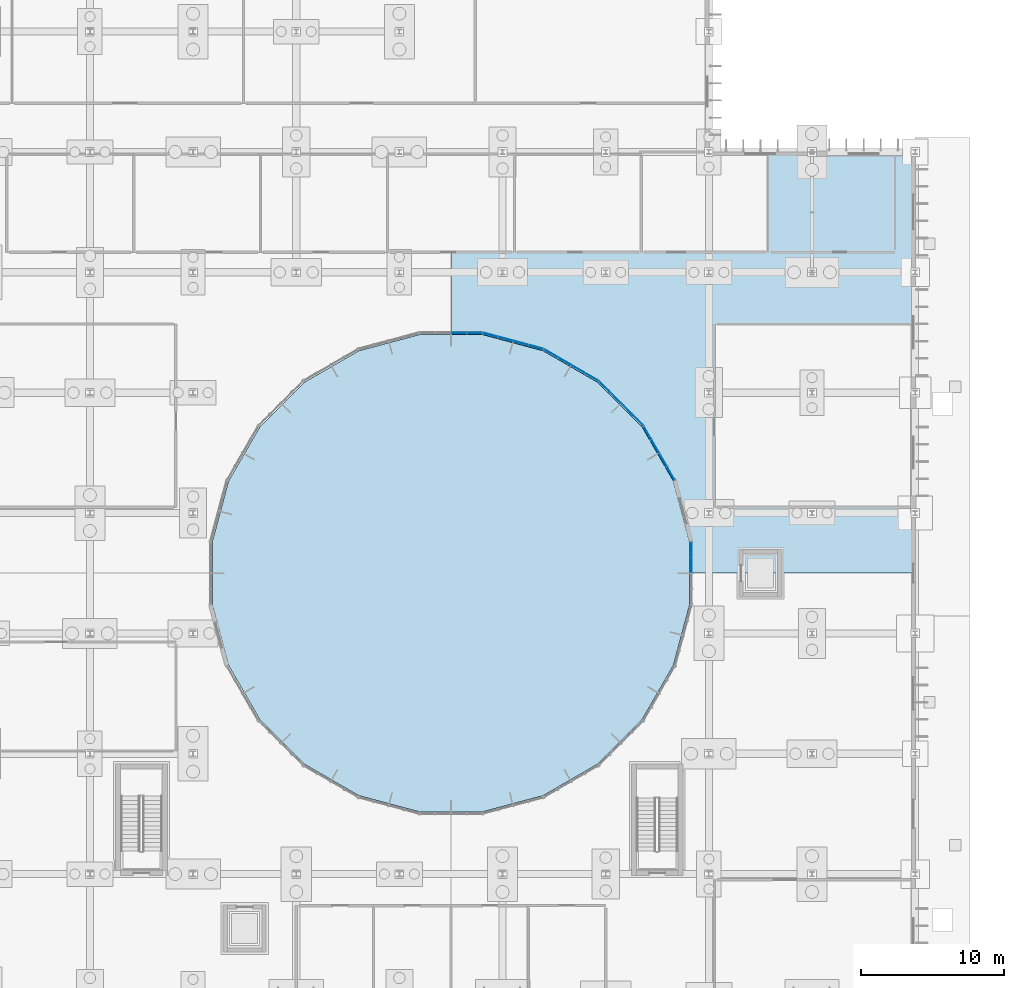
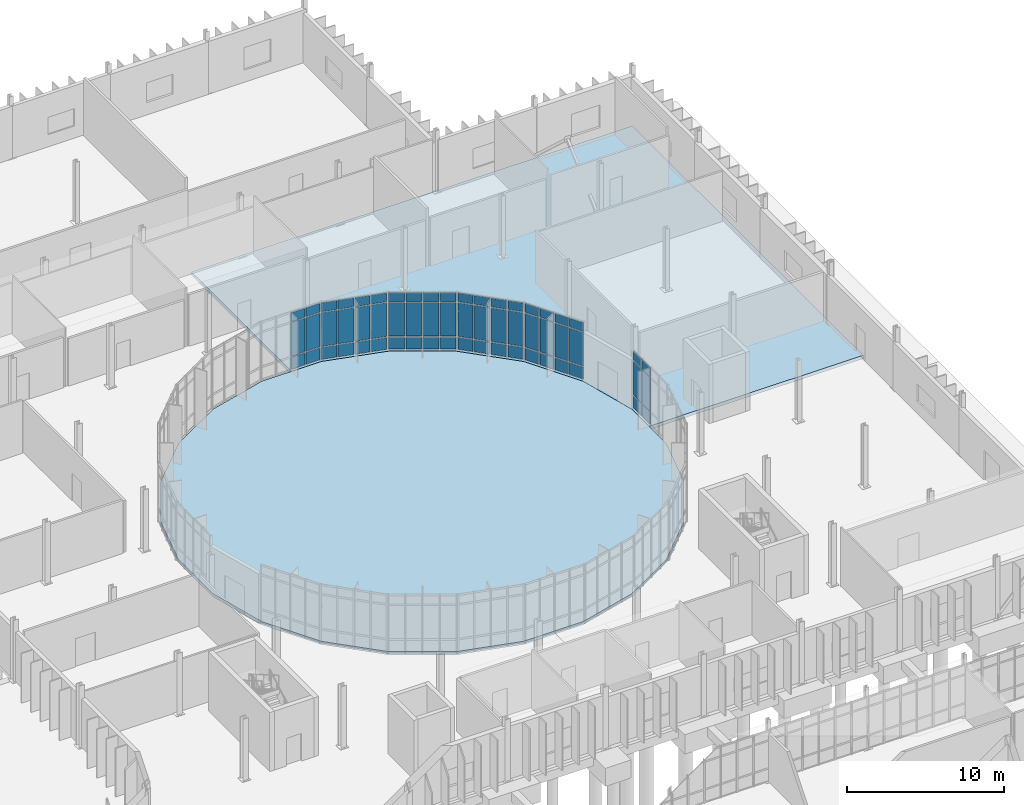
# One storey, part 70 of 118: 60 plates, 2 slabs, 6 elements without a shape of their own.
"""IFC4 building model written with IfcOpenShell, lengths in metres."""

from ifc_helpers import new_model, si_unit, direction, frame, origin, origin_2d, place, context, subcontext, project, spatial, polyline, rectangle, outline, extrude, material, layer, layer_set, type_object, element, aggregate, save


model = new_model("IFC4")

# Units and contexts
model_context = context("Model", 3, precision=1e-05, world=origin(), true_north=direction((0.0, 1.0)))
body_context = subcontext(model_context, "Body", "Model", "MODEL_VIEW")
ifc_project = project(units=[si_unit("LENGTHUNIT", "METRE"), si_unit("AREAUNIT", "SQUARE_METRE"), si_unit("VOLUMEUNIT", "CUBIC_METRE"), si_unit("PLANEANGLEUNIT", "RADIAN"), si_unit("MASSUNIT", "GRAM", prefix="KILO")], contexts=[model_context])

# Site, building, storey
site_placement = place(None, origin())
site = spatial("IfcSite", under=ifc_project, at=site_placement, CompositionType="ELEMENT")
building_placement = place(site_placement, origin())
building = spatial("IfcBuilding", under=site, at=building_placement, Name="Qelthora Terrace Specialist Clinic", CompositionType="ELEMENT")
storey_placement = place(building_placement, origin())
storey = spatial("IfcBuildingStorey", under=building, at=storey_placement, Name="L00", CompositionType="ELEMENT", Elevation=0.0)

# Curtain wall, plates
ifc_material_1 = material(Name="Aluminium anodized bronze", Category="aluminium")
curtain_wall_type = type_object("IfcCurtainWallType", Name="CW-CRTE-L00", PredefinedType="NOTDEFINED", material=ifc_material_1)
curtain_wall_1_placement = place(storey_placement, origin())
curtain_wall_1 = element("IfcCurtainWall", 1, at=curtain_wall_1_placement, inside=storey, type_object=curtain_wall_type, Name="Curtain wall CW-CE-L00-02", PredefinedType="NOTDEFINED")
ifc_material_2 = material(Name="Low-E triple-silver insulating glass", Category="glass")
ifc_layer_1 = layer(ifc_material_2, 0.035888671875)
ifc_layer_set_1 = layer_set([ifc_layer_1], Name="Low-E triple-silver insulating glass")
plate_type = type_object("IfcPlateType", Name="CWP-IGU-36", PredefinedType="CURTAIN_PANEL", material=ifc_layer_set_1)
plate_1_placement = place(storey_placement, frame((141.35107421875, 69.9638671875, 0.0849609375), z_axis=(0.0, 0.0, 1.0), x_axis=(-0.5, 0.866025403784, 0.0)))
plate_1 = element("IfcPlate", 2, at=plate_1_placement, type_object=plate_type, Name="CW-CE-L00-02 glazed panel 1", PredefinedType="CURTAIN_PANEL", context=body_context, shape_type="SweptSolid", body=[
    extrude(rectangle(XDim=0.996337890625, YDim=0.035888671875, at=origin_2d()), origin(), (0.0, 0.0, 1.0), 0.919921875),
])
plate_2_placement = place(storey_placement, frame((141.35107421875, 69.9638671875, 1.094970703125), z_axis=(0.0, 0.0, 1.0), x_axis=(-0.5, 0.866025403784, 0.0)))
plate_2 = element("IfcPlate", 3, at=plate_2_placement, type_object=plate_type, Name="CW-CE-L00-02 glazed panel 2", PredefinedType="CURTAIN_PANEL", context=body_context, shape_type="SweptSolid", body=[
    extrude(rectangle(XDim=0.996337890625, YDim=0.035888671875, at=origin_2d()), origin(), (0.0, 0.0, 1.0), 2.60498046875),
])
plate_3_placement = place(storey_placement, frame((141.35107421875, 69.9638671875, 3.7900390625), z_axis=(0.0, 0.0, 1.0), x_axis=(-0.5, 0.866025403784, 0.0)))
plate_3 = element("IfcPlate", 4, at=plate_3_placement, type_object=plate_type, Name="CW-CE-L00-02 glazed panel 3", PredefinedType="CURTAIN_PANEL", context=body_context, shape_type="SweptSolid", body=[
    extrude(rectangle(XDim=0.996337890625, YDim=0.035888671875, at=origin_2d()), origin(), (0.0, 0.0, 1.0), 0.669921875),
])
plate_4_placement = place(storey_placement, frame((140.802734375, 70.913330078125, 0.0849609375), z_axis=(0.0, 0.0, 1.0), x_axis=(-0.5, 0.866025403784, 0.0)))
plate_4 = element("IfcPlate", 5, at=plate_4_placement, type_object=plate_type, Name="CW-CE-L00-02 glazed panel 4", PredefinedType="CURTAIN_PANEL", context=body_context, shape_type="SweptSolid", body=[
    extrude(rectangle(XDim=0.996337890625, YDim=0.035888671875, at=origin_2d()), origin(), (0.0, 0.0, 1.0), 0.919921875),
])
plate_5_placement = place(storey_placement, frame((140.802734375, 70.913330078125, 1.094970703125), z_axis=(0.0, 0.0, 1.0), x_axis=(-0.5, 0.866025403784, 0.0)))
plate_5 = element("IfcPlate", 6, at=plate_5_placement, type_object=plate_type, Name="CW-CE-L00-02 glazed panel 5", PredefinedType="CURTAIN_PANEL", context=body_context, shape_type="SweptSolid", body=[
    extrude(rectangle(XDim=0.996337890625, YDim=0.035888671875, at=origin_2d()), origin(), (0.0, 0.0, 1.0), 2.60498046875),
])
plate_6_placement = place(storey_placement, frame((140.802734375, 70.913330078125, 3.7900390625), z_axis=(0.0, 0.0, 1.0), x_axis=(-0.5, 0.866025403784, 0.0)))
plate_6 = element("IfcPlate", 7, at=plate_6_placement, type_object=plate_type, Name="CW-CE-L00-02 glazed panel 6", PredefinedType="CURTAIN_PANEL", context=body_context, shape_type="SweptSolid", body=[
    extrude(rectangle(XDim=0.996337890625, YDim=0.035888671875, at=origin_2d()), origin(), (0.0, 0.0, 1.0), 0.669921875),
])
plate_7_placement = place(storey_placement, frame((140.254638671875, 71.86279296875, 0.0849609375), z_axis=(0.0, 0.0, 1.0), x_axis=(-0.5, 0.866025403784, 0.0)))
plate_7 = element("IfcPlate", 8, at=plate_7_placement, type_object=plate_type, Name="CW-CE-L00-02 glazed panel 7", PredefinedType="CURTAIN_PANEL", context=body_context, shape_type="SweptSolid", body=[
    extrude(rectangle(XDim=0.996337890625, YDim=0.035888671875, at=origin_2d()), origin(), (0.0, 0.0, 1.0), 0.919921875),
])
plate_8_placement = place(storey_placement, frame((140.254638671875, 71.86279296875, 1.094970703125), z_axis=(0.0, 0.0, 1.0), x_axis=(-0.5, 0.866025403784, 0.0)))
plate_8 = element("IfcPlate", 9, at=plate_8_placement, type_object=plate_type, Name="CW-CE-L00-02 glazed panel 8", PredefinedType="CURTAIN_PANEL", context=body_context, shape_type="SweptSolid", body=[
    extrude(rectangle(XDim=0.996337890625, YDim=0.035888671875, at=origin_2d()), origin(), (0.0, 0.0, 1.0), 2.60498046875),
])
plate_9_placement = place(storey_placement, frame((140.254638671875, 71.86279296875, 3.7900390625), z_axis=(0.0, 0.0, 1.0), x_axis=(-0.5, 0.866025403784, 0.0)))
plate_9 = element("IfcPlate", 10, at=plate_9_placement, type_object=plate_type, Name="CW-CE-L00-02 glazed panel 9", PredefinedType="CURTAIN_PANEL", context=body_context, shape_type="SweptSolid", body=[
    extrude(rectangle(XDim=0.996337890625, YDim=0.035888671875, at=origin_2d()), origin(), (0.0, 0.0, 1.0), 0.669921875),
])
plate_10_placement = place(storey_placement, frame((139.706298828125, 72.8125, 0.0849609375), z_axis=(0.0, 0.0, 1.0), x_axis=(-0.5, 0.866025403784, 0.0)))
plate_10 = element("IfcPlate", 11, at=plate_10_placement, type_object=plate_type, Name="CW-CE-L00-02 glazed panel 10", PredefinedType="CURTAIN_PANEL", context=body_context, shape_type="SweptSolid", body=[
    extrude(rectangle(XDim=0.996337890625, YDim=0.035888671875, at=origin_2d()), origin(), (0.0, 0.0, 1.0), 0.919921875),
])
plate_11_placement = place(storey_placement, frame((139.706298828125, 72.8125, 1.094970703125), z_axis=(0.0, 0.0, 1.0), x_axis=(-0.5, 0.866025403784, 0.0)))
plate_11 = element("IfcPlate", 12, at=plate_11_placement, type_object=plate_type, Name="CW-CE-L00-02 glazed panel 11", PredefinedType="CURTAIN_PANEL", context=body_context, shape_type="SweptSolid", body=[
    extrude(rectangle(XDim=0.996337890625, YDim=0.035888671875, at=origin_2d()), origin(), (0.0, 0.0, 1.0), 2.60498046875),
])
plate_12_placement = place(storey_placement, frame((139.706298828125, 72.8125, 3.7900390625), z_axis=(0.0, 0.0, 1.0), x_axis=(-0.5, 0.866025403784, 0.0)))
plate_12 = element("IfcPlate", 13, at=plate_12_placement, type_object=plate_type, Name="CW-CE-L00-02 glazed panel 12", PredefinedType="CURTAIN_PANEL", context=body_context, shape_type="SweptSolid", body=[
    extrude(rectangle(XDim=0.996337890625, YDim=0.035888671875, at=origin_2d()), origin(), (0.0, 0.0, 1.0), 0.669921875),
])
aggregate(curtain_wall_1, [plate_1, plate_2, plate_3, plate_4, plate_5, plate_6, plate_7, plate_8, plate_9, plate_10, plate_11, plate_12])

curtain_wall_2_placement = place(storey_placement, origin())
curtain_wall_2 = element("IfcCurtainWall", 14, at=curtain_wall_2_placement, inside=storey, type_object=curtain_wall_type, Name="Curtain wall CW-CE-L00-03", PredefinedType="NOTDEFINED")
plate_13_placement = place(storey_placement, frame((139.025634765625, 73.69970703125, 0.0849609375), z_axis=(0.0, 0.0, 1.0), x_axis=(-0.707106781187, 0.707106781187, 0.0)))
plate_13 = element("IfcPlate", 15, at=plate_13_placement, type_object=plate_type, Name="CW-CE-L00-03 glazed panel 1", PredefinedType="CURTAIN_PANEL", context=body_context, shape_type="SweptSolid", body=[
    extrude(rectangle(XDim=0.996337890625, YDim=0.035888671875, at=origin_2d()), origin(), (0.0, 0.0, 1.0), 0.919921875),
])
plate_14_placement = place(storey_placement, frame((139.025634765625, 73.69970703125, 1.094970703125), z_axis=(0.0, 0.0, 1.0), x_axis=(-0.707106781187, 0.707106781187, 0.0)))
plate_14 = element("IfcPlate", 16, at=plate_14_placement, type_object=plate_type, Name="CW-CE-L00-03 glazed panel 2", PredefinedType="CURTAIN_PANEL", context=body_context, shape_type="SweptSolid", body=[
    extrude(rectangle(XDim=0.996337890625, YDim=0.035888671875, at=origin_2d()), origin(), (0.0, 0.0, 1.0), 2.60498046875),
])
plate_15_placement = place(storey_placement, frame((139.025634765625, 73.69970703125, 3.7900390625), z_axis=(0.0, 0.0, 1.0), x_axis=(-0.707106781187, 0.707106781187, 0.0)))
plate_15 = element("IfcPlate", 17, at=plate_15_placement, type_object=plate_type, Name="CW-CE-L00-03 glazed panel 3", PredefinedType="CURTAIN_PANEL", context=body_context, shape_type="SweptSolid", body=[
    extrude(rectangle(XDim=0.996337890625, YDim=0.035888671875, at=origin_2d()), origin(), (0.0, 0.0, 1.0), 0.669921875),
])
plate_16_placement = place(storey_placement, frame((138.250244140625, 74.474853515625, 0.0849609375), z_axis=(0.0, 0.0, 1.0), x_axis=(-0.707106781187, 0.707106781187, 0.0)))
plate_16 = element("IfcPlate", 18, at=plate_16_placement, type_object=plate_type, Name="CW-CE-L00-03 glazed panel 4", PredefinedType="CURTAIN_PANEL", context=body_context, shape_type="SweptSolid", body=[
    extrude(rectangle(XDim=0.996337890625, YDim=0.035888671875, at=origin_2d()), origin(), (0.0, 0.0, 1.0), 0.919921875),
])
plate_17_placement = place(storey_placement, frame((138.250244140625, 74.474853515625, 1.094970703125), z_axis=(0.0, 0.0, 1.0), x_axis=(-0.707106781187, 0.707106781187, 0.0)))
plate_17 = element("IfcPlate", 19, at=plate_17_placement, type_object=plate_type, Name="CW-CE-L00-03 glazed panel 5", PredefinedType="CURTAIN_PANEL", context=body_context, shape_type="SweptSolid", body=[
    extrude(rectangle(XDim=0.996337890625, YDim=0.035888671875, at=origin_2d()), origin(), (0.0, 0.0, 1.0), 2.60498046875),
])
plate_18_placement = place(storey_placement, frame((138.250244140625, 74.474853515625, 3.7900390625), z_axis=(0.0, 0.0, 1.0), x_axis=(-0.707106781187, 0.707106781187, 0.0)))
plate_18 = element("IfcPlate", 20, at=plate_18_placement, type_object=plate_type, Name="CW-CE-L00-03 glazed panel 6", PredefinedType="CURTAIN_PANEL", context=body_context, shape_type="SweptSolid", body=[
    extrude(rectangle(XDim=0.996337890625, YDim=0.035888671875, at=origin_2d()), origin(), (0.0, 0.0, 1.0), 0.669921875),
])
plate_19_placement = place(storey_placement, frame((137.474853515625, 75.250244140625, 0.0849609375), z_axis=(0.0, 0.0, 1.0), x_axis=(-0.707106781187, 0.707106781187, 0.0)))
plate_19 = element("IfcPlate", 21, at=plate_19_placement, type_object=plate_type, Name="CW-CE-L00-03 glazed panel 7", PredefinedType="CURTAIN_PANEL", context=body_context, shape_type="SweptSolid", body=[
    extrude(rectangle(XDim=0.996337890625, YDim=0.035888671875, at=origin_2d()), origin(), (0.0, 0.0, 1.0), 0.919921875),
])
plate_20_placement = place(storey_placement, frame((137.474853515625, 75.250244140625, 1.094970703125), z_axis=(0.0, 0.0, 1.0), x_axis=(-0.707106781187, 0.707106781187, 0.0)))
plate_20 = element("IfcPlate", 22, at=plate_20_placement, type_object=plate_type, Name="CW-CE-L00-03 glazed panel 8", PredefinedType="CURTAIN_PANEL", context=body_context, shape_type="SweptSolid", body=[
    extrude(rectangle(XDim=0.996337890625, YDim=0.035888671875, at=origin_2d()), origin(), (0.0, 0.0, 1.0), 2.60498046875),
])
plate_21_placement = place(storey_placement, frame((137.474853515625, 75.250244140625, 3.7900390625), z_axis=(0.0, 0.0, 1.0), x_axis=(-0.707106781187, 0.707106781187, 0.0)))
plate_21 = element("IfcPlate", 23, at=plate_21_placement, type_object=plate_type, Name="CW-CE-L00-03 glazed panel 9", PredefinedType="CURTAIN_PANEL", context=body_context, shape_type="SweptSolid", body=[
    extrude(rectangle(XDim=0.996337890625, YDim=0.035888671875, at=origin_2d()), origin(), (0.0, 0.0, 1.0), 0.669921875),
])
plate_22_placement = place(storey_placement, frame((136.69970703125, 76.025634765625, 0.0849609375), z_axis=(0.0, 0.0, 1.0), x_axis=(-0.707106781187, 0.707106781187, 0.0)))
plate_22 = element("IfcPlate", 24, at=plate_22_placement, type_object=plate_type, Name="CW-CE-L00-03 glazed panel 10", PredefinedType="CURTAIN_PANEL", context=body_context, shape_type="SweptSolid", body=[
    extrude(rectangle(XDim=0.996337890625, YDim=0.035888671875, at=origin_2d()), origin(), (0.0, 0.0, 1.0), 0.919921875),
])
plate_23_placement = place(storey_placement, frame((136.69970703125, 76.025634765625, 1.094970703125), z_axis=(0.0, 0.0, 1.0), x_axis=(-0.707106781187, 0.707106781187, 0.0)))
plate_23 = element("IfcPlate", 25, at=plate_23_placement, type_object=plate_type, Name="CW-CE-L00-03 glazed panel 11", PredefinedType="CURTAIN_PANEL", context=body_context, shape_type="SweptSolid", body=[
    extrude(rectangle(XDim=0.996337890625, YDim=0.035888671875, at=origin_2d()), origin(), (0.0, 0.0, 1.0), 2.60498046875),
])
plate_24_placement = place(storey_placement, frame((136.69970703125, 76.025634765625, 3.7900390625), z_axis=(0.0, 0.0, 1.0), x_axis=(-0.707106781187, 0.707106781187, 0.0)))
plate_24 = element("IfcPlate", 26, at=plate_24_placement, type_object=plate_type, Name="CW-CE-L00-03 glazed panel 12", PredefinedType="CURTAIN_PANEL", context=body_context, shape_type="SweptSolid", body=[
    extrude(rectangle(XDim=0.996337890625, YDim=0.035888671875, at=origin_2d()), origin(), (0.0, 0.0, 1.0), 0.669921875),
])
aggregate(curtain_wall_2, [plate_13, plate_14, plate_15, plate_16, plate_17, plate_18, plate_19, plate_20, plate_21, plate_22, plate_23, plate_24])

curtain_wall_3_placement = place(storey_placement, origin())
curtain_wall_3 = element("IfcCurtainWall", 27, at=curtain_wall_3_placement, inside=storey, type_object=curtain_wall_type, Name="Curtain wall CW-CE-L00-04", PredefinedType="NOTDEFINED")
plate_25_placement = place(storey_placement, frame((135.8125, 76.706298828125, 0.0849609375), z_axis=(0.0, 0.0, 1.0), x_axis=(-0.866025403784, 0.5, 0.0)))
plate_25 = element("IfcPlate", 28, at=plate_25_placement, type_object=plate_type, Name="CW-CE-L00-04 glazed panel 1", PredefinedType="CURTAIN_PANEL", context=body_context, shape_type="SweptSolid", body=[
    extrude(rectangle(XDim=0.996337890625, YDim=0.035888671875, at=origin_2d()), origin(), (0.0, 0.0, 1.0), 0.919921875),
])
plate_26_placement = place(storey_placement, frame((135.8125, 76.706298828125, 1.094970703125), z_axis=(0.0, 0.0, 1.0), x_axis=(-0.866025403784, 0.5, 0.0)))
plate_26 = element("IfcPlate", 29, at=plate_26_placement, type_object=plate_type, Name="CW-CE-L00-04 glazed panel 2", PredefinedType="CURTAIN_PANEL", context=body_context, shape_type="SweptSolid", body=[
    extrude(rectangle(XDim=0.996337890625, YDim=0.035888671875, at=origin_2d()), origin(), (0.0, 0.0, 1.0), 2.60498046875),
])
plate_27_placement = place(storey_placement, frame((135.8125, 76.706298828125, 3.7900390625), z_axis=(0.0, 0.0, 1.0), x_axis=(-0.866025403784, 0.5, 0.0)))
plate_27 = element("IfcPlate", 30, at=plate_27_placement, type_object=plate_type, Name="CW-CE-L00-04 glazed panel 3", PredefinedType="CURTAIN_PANEL", context=body_context, shape_type="SweptSolid", body=[
    extrude(rectangle(XDim=0.996337890625, YDim=0.035888671875, at=origin_2d()), origin(), (0.0, 0.0, 1.0), 0.669921875),
])
plate_28_placement = place(storey_placement, frame((134.86279296875, 77.254638671875, 0.0849609375), z_axis=(0.0, 0.0, 1.0), x_axis=(-0.866025403784, 0.5, 0.0)))
plate_28 = element("IfcPlate", 31, at=plate_28_placement, type_object=plate_type, Name="CW-CE-L00-04 glazed panel 4", PredefinedType="CURTAIN_PANEL", context=body_context, shape_type="SweptSolid", body=[
    extrude(rectangle(XDim=0.996337890625, YDim=0.035888671875, at=origin_2d()), origin(), (0.0, 0.0, 1.0), 0.919921875),
])
plate_29_placement = place(storey_placement, frame((134.86279296875, 77.254638671875, 1.094970703125), z_axis=(0.0, 0.0, 1.0), x_axis=(-0.866025403784, 0.5, 0.0)))
plate_29 = element("IfcPlate", 32, at=plate_29_placement, type_object=plate_type, Name="CW-CE-L00-04 glazed panel 5", PredefinedType="CURTAIN_PANEL", context=body_context, shape_type="SweptSolid", body=[
    extrude(rectangle(XDim=0.996337890625, YDim=0.035888671875, at=origin_2d()), origin(), (0.0, 0.0, 1.0), 2.60498046875),
])
plate_30_placement = place(storey_placement, frame((134.86279296875, 77.254638671875, 3.7900390625), z_axis=(0.0, 0.0, 1.0), x_axis=(-0.866025403784, 0.5, 0.0)))
plate_30 = element("IfcPlate", 33, at=plate_30_placement, type_object=plate_type, Name="CW-CE-L00-04 glazed panel 6", PredefinedType="CURTAIN_PANEL", context=body_context, shape_type="SweptSolid", body=[
    extrude(rectangle(XDim=0.996337890625, YDim=0.035888671875, at=origin_2d()), origin(), (0.0, 0.0, 1.0), 0.669921875),
])
plate_31_placement = place(storey_placement, frame((133.913330078125, 77.802734375, 0.0849609375), z_axis=(0.0, 0.0, 1.0), x_axis=(-0.866025403784, 0.5, 0.0)))
plate_31 = element("IfcPlate", 34, at=plate_31_placement, type_object=plate_type, Name="CW-CE-L00-04 glazed panel 7", PredefinedType="CURTAIN_PANEL", context=body_context, shape_type="SweptSolid", body=[
    extrude(rectangle(XDim=0.996337890625, YDim=0.035888671875, at=origin_2d()), origin(), (0.0, 0.0, 1.0), 0.919921875),
])
plate_32_placement = place(storey_placement, frame((133.913330078125, 77.802734375, 1.094970703125), z_axis=(0.0, 0.0, 1.0), x_axis=(-0.866025403784, 0.5, 0.0)))
plate_32 = element("IfcPlate", 35, at=plate_32_placement, type_object=plate_type, Name="CW-CE-L00-04 glazed panel 8", PredefinedType="CURTAIN_PANEL", context=body_context, shape_type="SweptSolid", body=[
    extrude(rectangle(XDim=0.996337890625, YDim=0.035888671875, at=origin_2d()), origin(), (0.0, 0.0, 1.0), 2.60498046875),
])
plate_33_placement = place(storey_placement, frame((133.913330078125, 77.802734375, 3.7900390625), z_axis=(0.0, 0.0, 1.0), x_axis=(-0.866025403784, 0.5, 0.0)))
plate_33 = element("IfcPlate", 36, at=plate_33_placement, type_object=plate_type, Name="CW-CE-L00-04 glazed panel 9", PredefinedType="CURTAIN_PANEL", context=body_context, shape_type="SweptSolid", body=[
    extrude(rectangle(XDim=0.996337890625, YDim=0.035888671875, at=origin_2d()), origin(), (0.0, 0.0, 1.0), 0.669921875),
])
plate_34_placement = place(storey_placement, frame((132.9638671875, 78.35107421875, 0.0849609375), z_axis=(0.0, 0.0, 1.0), x_axis=(-0.866025403784, 0.5, 0.0)))
plate_34 = element("IfcPlate", 37, at=plate_34_placement, type_object=plate_type, Name="CW-CE-L00-04 glazed panel 10", PredefinedType="CURTAIN_PANEL", context=body_context, shape_type="SweptSolid", body=[
    extrude(rectangle(XDim=0.996337890625, YDim=0.035888671875, at=origin_2d()), origin(), (0.0, 0.0, 1.0), 0.919921875),
])
plate_35_placement = place(storey_placement, frame((132.9638671875, 78.35107421875, 1.094970703125), z_axis=(0.0, 0.0, 1.0), x_axis=(-0.866025403784, 0.5, 0.0)))
plate_35 = element("IfcPlate", 38, at=plate_35_placement, type_object=plate_type, Name="CW-CE-L00-04 glazed panel 11", PredefinedType="CURTAIN_PANEL", context=body_context, shape_type="SweptSolid", body=[
    extrude(rectangle(XDim=0.996337890625, YDim=0.035888671875, at=origin_2d()), origin(), (0.0, 0.0, 1.0), 2.60498046875),
])
plate_36_placement = place(storey_placement, frame((132.9638671875, 78.35107421875, 3.7900390625), z_axis=(0.0, 0.0, 1.0), x_axis=(-0.866025403784, 0.5, 0.0)))
plate_36 = element("IfcPlate", 39, at=plate_36_placement, type_object=plate_type, Name="CW-CE-L00-04 glazed panel 12", PredefinedType="CURTAIN_PANEL", context=body_context, shape_type="SweptSolid", body=[
    extrude(rectangle(XDim=0.996337890625, YDim=0.035888671875, at=origin_2d()), origin(), (0.0, 0.0, 1.0), 0.669921875),
])
aggregate(curtain_wall_3, [plate_25, plate_26, plate_27, plate_28, plate_29, plate_30, plate_31, plate_32, plate_33, plate_34, plate_35, plate_36])

curtain_wall_4_placement = place(storey_placement, origin())
curtain_wall_4 = element("IfcCurtainWall", 40, at=curtain_wall_4_placement, inside=storey, type_object=curtain_wall_type, Name="Curtain wall CW-CE-L00-05", PredefinedType="NOTDEFINED")
plate_37_placement = place(storey_placement, frame((131.9306640625, 78.779052734375, 0.0849609375), z_axis=(0.0, 0.0, 1.0), x_axis=(-0.965925826289, 0.258819045103, 0.0)))
plate_37 = element("IfcPlate", 41, at=plate_37_placement, type_object=plate_type, Name="CW-CE-L00-05 glazed panel 1", PredefinedType="CURTAIN_PANEL", context=body_context, shape_type="SweptSolid", body=[
    extrude(rectangle(XDim=0.996337890625, YDim=0.035888671875, at=origin_2d()), origin(), (0.0, 0.0, 1.0), 0.919921875),
])
plate_38_placement = place(storey_placement, frame((131.9306640625, 78.779052734375, 1.094970703125), z_axis=(0.0, 0.0, 1.0), x_axis=(-0.965925826289, 0.258819045103, 0.0)))
plate_38 = element("IfcPlate", 42, at=plate_38_placement, type_object=plate_type, Name="CW-CE-L00-05 glazed panel 2", PredefinedType="CURTAIN_PANEL", context=body_context, shape_type="SweptSolid", body=[
    extrude(rectangle(XDim=0.996337890625, YDim=0.035888671875, at=origin_2d()), origin(), (0.0, 0.0, 1.0), 2.60498046875),
])
plate_39_placement = place(storey_placement, frame((131.9306640625, 78.779052734375, 3.7900390625), z_axis=(0.0, 0.0, 1.0), x_axis=(-0.965925826289, 0.258819045103, 0.0)))
plate_39 = element("IfcPlate", 43, at=plate_39_placement, type_object=plate_type, Name="CW-CE-L00-05 glazed panel 3", PredefinedType="CURTAIN_PANEL", context=body_context, shape_type="SweptSolid", body=[
    extrude(rectangle(XDim=0.996337890625, YDim=0.035888671875, at=origin_2d()), origin(), (0.0, 0.0, 1.0), 0.669921875),
])
plate_40_placement = place(storey_placement, frame((130.87158203125, 79.062744140625, 0.0849609375), z_axis=(0.0, 0.0, 1.0), x_axis=(-0.965925826289, 0.258819045103, 0.0)))
plate_40 = element("IfcPlate", 44, at=plate_40_placement, type_object=plate_type, Name="CW-CE-L00-05 glazed panel 4", PredefinedType="CURTAIN_PANEL", context=body_context, shape_type="SweptSolid", body=[
    extrude(rectangle(XDim=0.996337890625, YDim=0.035888671875, at=origin_2d()), origin(), (0.0, 0.0, 1.0), 0.919921875),
])
plate_41_placement = place(storey_placement, frame((130.87158203125, 79.062744140625, 1.094970703125), z_axis=(0.0, 0.0, 1.0), x_axis=(-0.965925826289, 0.258819045103, 0.0)))
plate_41 = element("IfcPlate", 45, at=plate_41_placement, type_object=plate_type, Name="CW-CE-L00-05 glazed panel 5", PredefinedType="CURTAIN_PANEL", context=body_context, shape_type="SweptSolid", body=[
    extrude(rectangle(XDim=0.996337890625, YDim=0.035888671875, at=origin_2d()), origin(), (0.0, 0.0, 1.0), 2.60498046875),
])
plate_42_placement = place(storey_placement, frame((130.87158203125, 79.062744140625, 3.7900390625), z_axis=(0.0, 0.0, 1.0), x_axis=(-0.965925826289, 0.258819045103, 0.0)))
plate_42 = element("IfcPlate", 46, at=plate_42_placement, type_object=plate_type, Name="CW-CE-L00-05 glazed panel 6", PredefinedType="CURTAIN_PANEL", context=body_context, shape_type="SweptSolid", body=[
    extrude(rectangle(XDim=0.996337890625, YDim=0.035888671875, at=origin_2d()), origin(), (0.0, 0.0, 1.0), 0.669921875),
])
plate_43_placement = place(storey_placement, frame((129.8125, 79.346435546875, 0.0849609375), z_axis=(0.0, 0.0, 1.0), x_axis=(-0.965925826289, 0.258819045103, 0.0)))
plate_43 = element("IfcPlate", 47, at=plate_43_placement, type_object=plate_type, Name="CW-CE-L00-05 glazed panel 7", PredefinedType="CURTAIN_PANEL", context=body_context, shape_type="SweptSolid", body=[
    extrude(rectangle(XDim=0.996337890625, YDim=0.035888671875, at=origin_2d()), origin(), (0.0, 0.0, 1.0), 0.919921875),
])
plate_44_placement = place(storey_placement, frame((129.8125, 79.346435546875, 1.094970703125), z_axis=(0.0, 0.0, 1.0), x_axis=(-0.965925826289, 0.258819045103, 0.0)))
plate_44 = element("IfcPlate", 48, at=plate_44_placement, type_object=plate_type, Name="CW-CE-L00-05 glazed panel 8", PredefinedType="CURTAIN_PANEL", context=body_context, shape_type="SweptSolid", body=[
    extrude(rectangle(XDim=0.996337890625, YDim=0.035888671875, at=origin_2d()), origin(), (0.0, 0.0, 1.0), 2.60498046875),
])
plate_45_placement = place(storey_placement, frame((129.8125, 79.346435546875, 3.7900390625), z_axis=(0.0, 0.0, 1.0), x_axis=(-0.965925826289, 0.258819045103, 0.0)))
plate_45 = element("IfcPlate", 49, at=plate_45_placement, type_object=plate_type, Name="CW-CE-L00-05 glazed panel 9", PredefinedType="CURTAIN_PANEL", context=body_context, shape_type="SweptSolid", body=[
    extrude(rectangle(XDim=0.996337890625, YDim=0.035888671875, at=origin_2d()), origin(), (0.0, 0.0, 1.0), 0.669921875),
])
plate_46_placement = place(storey_placement, frame((128.75341796875, 79.63037109375, 0.0849609375), z_axis=(0.0, 0.0, 1.0), x_axis=(-0.965925826289, 0.258819045103, 0.0)))
plate_46 = element("IfcPlate", 50, at=plate_46_placement, type_object=plate_type, Name="CW-CE-L00-05 glazed panel 10", PredefinedType="CURTAIN_PANEL", context=body_context, shape_type="SweptSolid", body=[
    extrude(rectangle(XDim=0.996337890625, YDim=0.035888671875, at=origin_2d()), origin(), (0.0, 0.0, 1.0), 0.919921875),
])
plate_47_placement = place(storey_placement, frame((128.75341796875, 79.63037109375, 1.094970703125), z_axis=(0.0, 0.0, 1.0), x_axis=(-0.965925826289, 0.258819045103, 0.0)))
plate_47 = element("IfcPlate", 51, at=plate_47_placement, type_object=plate_type, Name="CW-CE-L00-05 glazed panel 11", PredefinedType="CURTAIN_PANEL", context=body_context, shape_type="SweptSolid", body=[
    extrude(rectangle(XDim=0.996337890625, YDim=0.035888671875, at=origin_2d()), origin(), (0.0, 0.0, 1.0), 2.60498046875),
])
plate_48_placement = place(storey_placement, frame((128.75341796875, 79.63037109375, 3.7900390625), z_axis=(0.0, 0.0, 1.0), x_axis=(-0.965925826289, 0.258819045103, 0.0)))
plate_48 = element("IfcPlate", 52, at=plate_48_placement, type_object=plate_type, Name="CW-CE-L00-05 glazed panel 12", PredefinedType="CURTAIN_PANEL", context=body_context, shape_type="SweptSolid", body=[
    extrude(rectangle(XDim=0.996337890625, YDim=0.035888671875, at=origin_2d()), origin(), (0.0, 0.0, 1.0), 0.669921875),
])
aggregate(curtain_wall_4, [plate_37, plate_38, plate_39, plate_40, plate_41, plate_42, plate_43, plate_44, plate_45, plate_46, plate_47, plate_48])

curtain_wall_5_placement = place(storey_placement, origin())
curtain_wall_5 = element("IfcCurtainWall", 53, at=curtain_wall_5_placement, inside=storey, type_object=curtain_wall_type, Name="Curtain wall CW-CE-L00-06", PredefinedType="NOTDEFINED")
plate_49_placement = place(storey_placement, frame((127.64453125, 79.7763671875, 0.0849609375), z_axis=(0.0, 0.0, 1.0), x_axis=(-1.0, 0.0, 0.0)))
plate_49 = element("IfcPlate", 54, at=plate_49_placement, type_object=plate_type, Name="CW-CE-L00-06 glazed panel 1", PredefinedType="CURTAIN_PANEL", context=body_context, shape_type="SweptSolid", body=[
    extrude(rectangle(XDim=0.996337890625, YDim=0.035888671875, at=origin_2d()), origin(), (0.0, 0.0, 1.0), 0.919921875),
])
plate_50_placement = place(storey_placement, frame((127.64453125, 79.7763671875, 1.094970703125), z_axis=(0.0, 0.0, 1.0), x_axis=(-1.0, 0.0, 0.0)))
plate_50 = element("IfcPlate", 55, at=plate_50_placement, type_object=plate_type, Name="CW-CE-L00-06 glazed panel 2", PredefinedType="CURTAIN_PANEL", context=body_context, shape_type="SweptSolid", body=[
    extrude(rectangle(XDim=0.996337890625, YDim=0.035888671875, at=origin_2d()), origin(), (0.0, 0.0, 1.0), 2.60498046875),
])
plate_51_placement = place(storey_placement, frame((127.64453125, 79.7763671875, 3.7900390625), z_axis=(0.0, 0.0, 1.0), x_axis=(-1.0, 0.0, 0.0)))
plate_51 = element("IfcPlate", 56, at=plate_51_placement, type_object=plate_type, Name="CW-CE-L00-06 glazed panel 3", PredefinedType="CURTAIN_PANEL", context=body_context, shape_type="SweptSolid", body=[
    extrude(rectangle(XDim=0.996337890625, YDim=0.035888671875, at=origin_2d()), origin(), (0.0, 0.0, 1.0), 0.669921875),
])
plate_52_placement = place(storey_placement, frame((126.548095703125, 79.7763671875, 0.0849609375), z_axis=(0.0, 0.0, 1.0), x_axis=(-1.0, 0.0, 0.0)))
plate_52 = element("IfcPlate", 57, at=plate_52_placement, type_object=plate_type, Name="CW-CE-L00-06 glazed panel 4", PredefinedType="CURTAIN_PANEL", context=body_context, shape_type="SweptSolid", body=[
    extrude(rectangle(XDim=0.996337890625, YDim=0.035888671875, at=origin_2d()), origin(), (0.0, 0.0, 1.0), 0.919921875),
])
plate_53_placement = place(storey_placement, frame((126.548095703125, 79.7763671875, 1.094970703125), z_axis=(0.0, 0.0, 1.0), x_axis=(-1.0, 0.0, 0.0)))
plate_53 = element("IfcPlate", 58, at=plate_53_placement, type_object=plate_type, Name="CW-CE-L00-06 glazed panel 5", PredefinedType="CURTAIN_PANEL", context=body_context, shape_type="SweptSolid", body=[
    extrude(rectangle(XDim=0.996337890625, YDim=0.035888671875, at=origin_2d()), origin(), (0.0, 0.0, 1.0), 2.60498046875),
])
plate_54_placement = place(storey_placement, frame((126.548095703125, 79.7763671875, 3.7900390625), z_axis=(0.0, 0.0, 1.0), x_axis=(-1.0, 0.0, 0.0)))
plate_54 = element("IfcPlate", 59, at=plate_54_placement, type_object=plate_type, Name="CW-CE-L00-06 glazed panel 6", PredefinedType="CURTAIN_PANEL", context=body_context, shape_type="SweptSolid", body=[
    extrude(rectangle(XDim=0.996337890625, YDim=0.035888671875, at=origin_2d()), origin(), (0.0, 0.0, 1.0), 0.669921875),
])
aggregate(curtain_wall_5, [plate_49, plate_50, plate_51, plate_52, plate_53, plate_54])

curtain_wall_6_placement = place(storey_placement, origin())
curtain_wall_6 = element("IfcCurtainWall", 60, at=curtain_wall_6_placement, inside=storey, type_object=curtain_wall_type, Name="Curtain wall CW-CE-L00-24", PredefinedType="NOTDEFINED")
plate_55_placement = place(storey_placement, frame((142.7763671875, 63.548095703125, 0.0849609375), z_axis=(0.0, 0.0, 1.0), x_axis=(0.0, 1.0, 0.0)))
plate_55 = element("IfcPlate", 61, at=plate_55_placement, type_object=plate_type, Name="CW-CE-L00-24 glazed panel 7", PredefinedType="CURTAIN_PANEL", context=body_context, shape_type="SweptSolid", body=[
    extrude(rectangle(XDim=0.996337890625, YDim=0.035888671875, at=origin_2d()), origin(), (0.0, 0.0, 1.0), 0.919921875),
])
plate_56_placement = place(storey_placement, frame((142.7763671875, 63.548095703125, 1.094970703125), z_axis=(0.0, 0.0, 1.0), x_axis=(0.0, 1.0, 0.0)))
plate_56 = element("IfcPlate", 62, at=plate_56_placement, type_object=plate_type, Name="CW-CE-L00-24 glazed panel 8", PredefinedType="CURTAIN_PANEL", context=body_context, shape_type="SweptSolid", body=[
    extrude(rectangle(XDim=0.996337890625, YDim=0.035888671875, at=origin_2d()), origin(), (0.0, 0.0, 1.0), 2.60498046875),
])
plate_57_placement = place(storey_placement, frame((142.7763671875, 63.548095703125, 3.7900390625), z_axis=(0.0, 0.0, 1.0), x_axis=(0.0, 1.0, 0.0)))
plate_57 = element("IfcPlate", 63, at=plate_57_placement, type_object=plate_type, Name="CW-CE-L00-24 glazed panel 9", PredefinedType="CURTAIN_PANEL", context=body_context, shape_type="SweptSolid", body=[
    extrude(rectangle(XDim=0.996337890625, YDim=0.035888671875, at=origin_2d()), origin(), (0.0, 0.0, 1.0), 0.669921875),
])
plate_58_placement = place(storey_placement, frame((142.7763671875, 64.64453125, 0.0849609375), z_axis=(0.0, 0.0, 1.0), x_axis=(0.0, 1.0, 0.0)))
plate_58 = element("IfcPlate", 64, at=plate_58_placement, type_object=plate_type, Name="CW-CE-L00-24 glazed panel 10", PredefinedType="CURTAIN_PANEL", context=body_context, shape_type="SweptSolid", body=[
    extrude(rectangle(XDim=0.996337890625, YDim=0.035888671875, at=origin_2d()), origin(), (0.0, 0.0, 1.0), 0.919921875),
])
plate_59_placement = place(storey_placement, frame((142.7763671875, 64.64453125, 1.094970703125), z_axis=(0.0, 0.0, 1.0), x_axis=(0.0, 1.0, 0.0)))
plate_59 = element("IfcPlate", 65, at=plate_59_placement, type_object=plate_type, Name="CW-CE-L00-24 glazed panel 11", PredefinedType="CURTAIN_PANEL", context=body_context, shape_type="SweptSolid", body=[
    extrude(rectangle(XDim=0.996337890625, YDim=0.035888671875, at=origin_2d()), origin(), (0.0, 0.0, 1.0), 2.60498046875),
])
plate_60_placement = place(storey_placement, frame((142.7763671875, 64.64453125, 3.7900390625), z_axis=(0.0, 0.0, 1.0), x_axis=(0.0, 1.0, 0.0)))
plate_60 = element("IfcPlate", 66, at=plate_60_placement, type_object=plate_type, Name="CW-CE-L00-24 glazed panel 12", PredefinedType="CURTAIN_PANEL", context=body_context, shape_type="SweptSolid", body=[
    extrude(rectangle(XDim=0.996337890625, YDim=0.035888671875, at=origin_2d()), origin(), (0.0, 0.0, 1.0), 0.669921875),
])
aggregate(curtain_wall_6, [plate_55, plate_56, plate_57, plate_58, plate_59, plate_60])

# Slabs
ifc_material_3 = material(Name="Concrete C30/37", Category="concrete")
ifc_layer_2 = layer(ifc_material_3, 0.260009765625)
ifc_layer_set_2 = layer_set([ifc_layer_2], Name="Concrete C30/37")
slab_type_1 = type_object("IfcSlabType", Name="SLB-BASE-260-C30", PredefinedType="BASESLAB", material=ifc_layer_set_2)
slab_1_placement = place(storey_placement, frame((0.0, 0.0, -0.260009765625)))
element("IfcSlab", 67, at=slab_1_placement, inside=storey, type_object=slab_type_1, Name="L00 V4 slab SLB-L00-V4-4A", PredefinedType="BASESLAB", context=body_context, shape_type="SweptSolid", body=[
    extrude(outline(polyline([(158.39990234375, 92.39990234375), (158.39990234375, 63.0), (142.65625, 63.0), (142.65625, 65.19287109375), (141.521240234375, 69.42919921875), (139.328369140625, 73.227294921875), (136.227294921875, 76.328369140625), (132.42919921875, 78.521240234375), (128.19287109375, 79.65625), (126.0, 79.65625), (126.0, 92.39990234375), (158.39990234375, 92.39990234375)])), origin(), (0.0, 0.0, 1.0), 0.260009765625),
])
ifc_layer_3 = layer(ifc_material_3, 0.25)
ifc_layer_set_3 = layer_set([ifc_layer_3], Name="Concrete C30/37")
slab_type_2 = type_object("IfcSlabType", Name="SLB-TERR-250-C30", PredefinedType="FLOOR", material=ifc_layer_set_3)
slab_2_placement = place(storey_placement, frame((0.0, 0.0, -0.25)))
element("IfcSlab", 68, at=slab_2_placement, inside=storey, type_object=slab_type_2, Name="East sun court paved garden terrace", PredefinedType="FLOOR", context=body_context, shape_type="SweptSolid", body=[
    extrude(outline(polyline([(142.65625, 65.19287109375), (141.521240234375, 69.42919921875), (139.328369140625, 73.227294921875), (136.227294921875, 76.328369140625), (132.42919921875, 78.521240234375), (128.19287109375, 79.65625), (123.80712890625, 79.65625), (119.57080078125, 78.521240234375), (115.772705078125, 76.328369140625), (112.671630859375, 73.227294921875), (110.478759765625, 69.42919921875), (109.34375, 65.19287109375), (109.34375, 60.80712890625), (110.478759765625, 56.57080078125), (112.671630859375, 52.772705078125), (115.772705078125, 49.671630859375), (119.57080078125, 47.478759765625), (123.80712890625, 46.34375), (128.19287109375, 46.34375), (132.42919921875, 47.478759765625), (136.227294921875, 49.671630859375), (139.328369140625, 52.772705078125), (141.521240234375, 56.57080078125), (142.65625, 60.80712890625), (142.65625, 65.19287109375)])), origin(), (0.0, 0.0, 1.0), 0.25),
])

save(model, "model.ifc")
